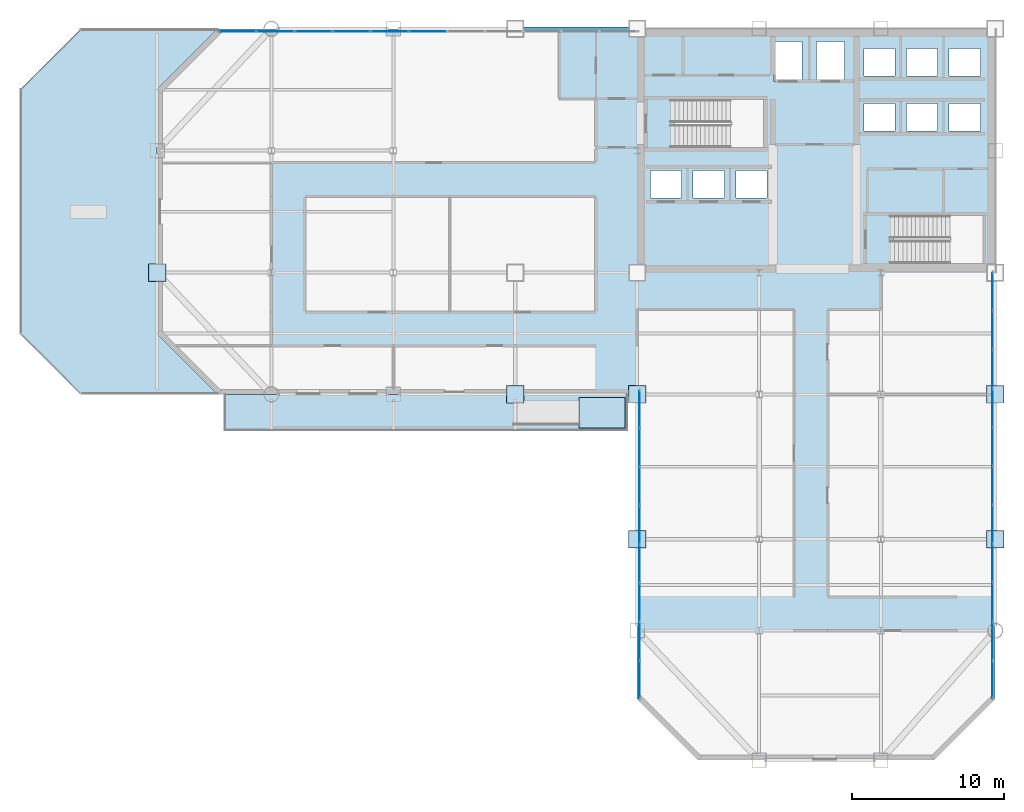
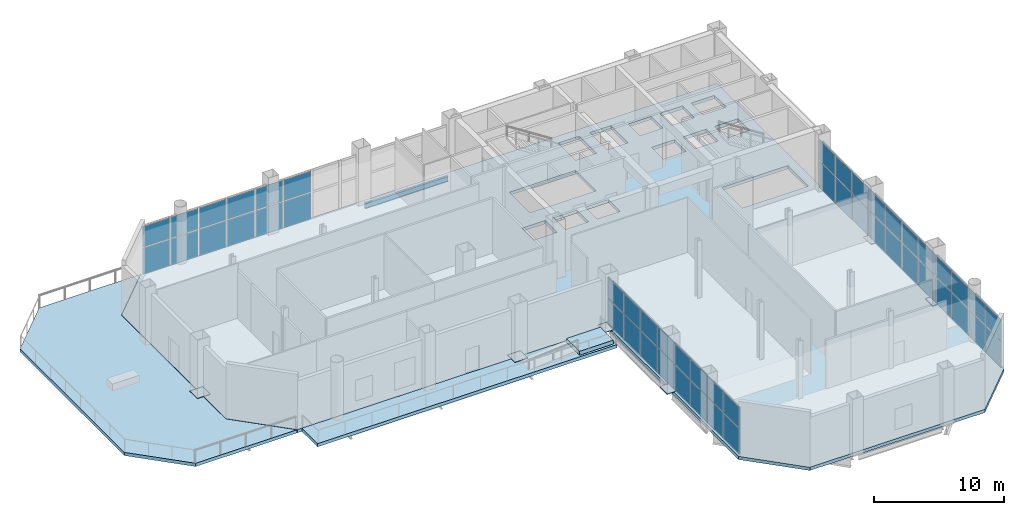
# One storey, part 17 of 22: 56 plates, 4 slabs, 1 beam, 4 elements without a shape of their own.
"""IFC4 building model written with IfcOpenShell, lengths in metres."""

from ifc_helpers import new_model, si_unit, direction, frame, origin, origin_2d, place, context, subcontext, project, spatial, polyline, rectangle, i_section, outline, extrude, material, layer, layer_set, material_profile, profile_set, type_object, element, aggregate, save


model = new_model("IFC4")

# Units and contexts
model_context = context("Model", 3, precision=1e-05, world=origin(), true_north=direction((0.0, 1.0)))
body_context = subcontext(model_context, "Body", "Model", "MODEL_VIEW")
ifc_project = project(units=[si_unit("LENGTHUNIT", "METRE"), si_unit("AREAUNIT", "SQUARE_METRE"), si_unit("VOLUMEUNIT", "CUBIC_METRE"), si_unit("PLANEANGLEUNIT", "RADIAN"), si_unit("MASSUNIT", "GRAM", prefix="KILO")], contexts=[model_context])

# Site, building, storey
site_placement = place(None, origin())
site = spatial("IfcSite", under=ifc_project, at=site_placement, CompositionType="ELEMENT")
building_placement = place(site_placement, origin())
building = spatial("IfcBuilding", under=site, at=building_placement, Name="Qianrong Seaharbour Tower", CompositionType="ELEMENT")
storey_placement = place(building_placement, frame((0.0, 0.0, 113.60009765625)))
storey = spatial("IfcBuildingStorey", under=building, at=storey_placement, Name="L27", CompositionType="ELEMENT", Elevation=113.60009765625)

# Beam
ifc_material_1 = material(Name="Structural steel SN490B", Category="steel")
ifc_material_profile = material_profile(ifc_material_1, i_section(OverallWidth=0.199951171875, OverallDepth=0.5, WebThickness=0.010009765625, FlangeThickness=0.01611328125, FilletRadius=0.02001953125, at=origin_2d()), Name="H500x200x10x16")
ifc_profile_set = profile_set([ifc_material_profile], Name="Structural steel SN490B")
beam_type = type_object("IfcBeamType", Name="BM-SP-500", PredefinedType="SPANDREL", material=ifc_profile_set)
beam_placement = place(storey_placement, frame((32.820068359375, 52.0, -0.550048828125), z_axis=(1.0, 0.0, 0.0), x_axis=(0.0, 1.0, 0.0)))
element("IfcBeam", 1, at=beam_placement, inside=storey, type_object=beam_type, Name="L27 Spandrel Girder GH G5-G6", PredefinedType="SPANDREL", context=body_context, shape_type="SweptSolid", body=[
    extrude(i_section(OverallWidth=0.199951171875, OverallDepth=0.5, WebThickness=0.010009765625, FlangeThickness=0.01611328125, FilletRadius=0.02001953125, at=origin_2d()), origin(), (0.0, 0.0, 1.0), 7.35986328125),
])

# Curtain wall, plates
ifc_material_2 = material(Name="Anodised aluminium 6063-T6 and laminated low-e glass", Category="aluminium")
ifc_layer_1 = layer(ifc_material_2, 0.2099609375)
ifc_layer_set_1 = layer_set([ifc_layer_1], Name="Anodised aluminium 6063-T6 and laminated low-e glass")
curtain_wall_type = type_object("IfcCurtainWallType", Name="CW-SYS-2", PredefinedType="NOTDEFINED", material=ifc_layer_set_1)
curtain_wall_1_placement = place(storey_placement, origin())
curtain_wall_1 = element("IfcCurtainWall", 2, at=curtain_wall_1_placement, inside=storey, type_object=curtain_wall_type, Name="L27 Sky-Lobby Feature Curtain Wall REENTRANT_WEST", PredefinedType="NOTDEFINED")
ifc_material_3 = material(Name="Laminated solar-control low-e glass", Category="glass")
ifc_layer_2 = layer(ifc_material_3, 0.031982421875)
ifc_layer_set_2 = layer_set([ifc_layer_2], Name="Laminated solar-control low-e glass")
plate_type_1 = type_object("IfcPlateType", Name="CW-PAN-VISION-32", PredefinedType="CURTAIN_PANEL", material=ifc_layer_set_2)
plate_1_placement = place(storey_placement, frame((40.669921875, 9.291259765625, 0.06982421875), z_axis=(0.0, 0.0, 1.0), x_axis=(0.0, 1.0, 0.0)))
plate_1 = element("IfcPlate", 3, at=plate_1_placement, type_object=plate_type_1, Name="CW-2 panel 1.1", PredefinedType="CURTAIN_PANEL", context=body_context, shape_type="SweptSolid", body=[
    extrude(rectangle(XDim=2.422607421875, YDim=0.031982421875, at=origin_2d()), origin(), (0.0, 0.0, 1.0), 2.3837890625),
])
plate_2_placement = place(storey_placement, frame((40.669921875, 9.291259765625, 2.523681640625), z_axis=(0.0, 0.0, 1.0), x_axis=(0.0, 1.0, 0.0)))
plate_2 = element("IfcPlate", 4, at=plate_2_placement, type_object=plate_type_1, Name="CW-2 panel 1.2", PredefinedType="CURTAIN_PANEL", context=body_context, shape_type="SweptSolid", body=[
    extrude(rectangle(XDim=2.422607421875, YDim=0.031982421875, at=origin_2d()), origin(), (0.0, 0.0, 1.0), 1.93115234375),
])
plate_3_placement = place(storey_placement, frame((40.669921875, 11.813720703125, 0.06982421875), z_axis=(0.0, 0.0, 1.0), x_axis=(0.0, 1.0, 0.0)))
plate_3 = element("IfcPlate", 5, at=plate_3_placement, type_object=plate_type_1, Name="CW-2 panel 2.1", PredefinedType="CURTAIN_PANEL", context=body_context, shape_type="SweptSolid", body=[
    extrude(rectangle(XDim=2.46240234375, YDim=0.031982421875, at=origin_2d()), origin(), (0.0, 0.0, 1.0), 2.3837890625),
])
plate_4_placement = place(storey_placement, frame((40.669921875, 11.813720703125, 2.523681640625), z_axis=(0.0, 0.0, 1.0), x_axis=(0.0, 1.0, 0.0)))
plate_4 = element("IfcPlate", 6, at=plate_4_placement, type_object=plate_type_1, Name="CW-2 panel 2.2", PredefinedType="CURTAIN_PANEL", context=body_context, shape_type="SweptSolid", body=[
    extrude(rectangle(XDim=2.46240234375, YDim=0.031982421875, at=origin_2d()), origin(), (0.0, 0.0, 1.0), 1.93115234375),
])
plate_5_placement = place(storey_placement, frame((40.669921875, 14.356201171875, 0.06982421875), z_axis=(0.0, 0.0, 1.0), x_axis=(0.0, 1.0, 0.0)))
plate_5 = element("IfcPlate", 7, at=plate_5_placement, type_object=plate_type_1, Name="CW-2 panel 3.1", PredefinedType="CURTAIN_PANEL", context=body_context, shape_type="SweptSolid", body=[
    extrude(rectangle(XDim=2.46240234375, YDim=0.031982421875, at=origin_2d()), origin(), (0.0, 0.0, 1.0), 2.3837890625),
])
plate_6_placement = place(storey_placement, frame((40.669921875, 14.356201171875, 2.523681640625), z_axis=(0.0, 0.0, 1.0), x_axis=(0.0, 1.0, 0.0)))
plate_6 = element("IfcPlate", 8, at=plate_6_placement, type_object=plate_type_1, Name="CW-2 panel 3.2", PredefinedType="CURTAIN_PANEL", context=body_context, shape_type="SweptSolid", body=[
    extrude(rectangle(XDim=2.46240234375, YDim=0.031982421875, at=origin_2d()), origin(), (0.0, 0.0, 1.0), 1.93115234375),
])
plate_7_placement = place(storey_placement, frame((40.669921875, 16.898681640625, 0.06982421875), z_axis=(0.0, 0.0, 1.0), x_axis=(0.0, 1.0, 0.0)))
plate_7 = element("IfcPlate", 9, at=plate_7_placement, type_object=plate_type_1, Name="CW-2 panel 4.1", PredefinedType="CURTAIN_PANEL", context=body_context, shape_type="SweptSolid", body=[
    extrude(rectangle(XDim=2.46240234375, YDim=0.031982421875, at=origin_2d()), origin(), (0.0, 0.0, 1.0), 2.3837890625),
])
plate_8_placement = place(storey_placement, frame((40.669921875, 16.898681640625, 2.523681640625), z_axis=(0.0, 0.0, 1.0), x_axis=(0.0, 1.0, 0.0)))
plate_8 = element("IfcPlate", 10, at=plate_8_placement, type_object=plate_type_1, Name="CW-2 panel 4.2", PredefinedType="CURTAIN_PANEL", context=body_context, shape_type="SweptSolid", body=[
    extrude(rectangle(XDim=2.46240234375, YDim=0.031982421875, at=origin_2d()), origin(), (0.0, 0.0, 1.0), 1.93115234375),
])
plate_9_placement = place(storey_placement, frame((40.669921875, 19.441162109375, 0.06982421875), z_axis=(0.0, 0.0, 1.0), x_axis=(0.0, 1.0, 0.0)))
plate_9 = element("IfcPlate", 11, at=plate_9_placement, type_object=plate_type_1, Name="CW-2 panel 5.1", PredefinedType="CURTAIN_PANEL", context=body_context, shape_type="SweptSolid", body=[
    extrude(rectangle(XDim=2.46240234375, YDim=0.031982421875, at=origin_2d()), origin(), (0.0, 0.0, 1.0), 2.3837890625),
])
plate_10_placement = place(storey_placement, frame((40.669921875, 19.441162109375, 2.523681640625), z_axis=(0.0, 0.0, 1.0), x_axis=(0.0, 1.0, 0.0)))
plate_10 = element("IfcPlate", 12, at=plate_10_placement, type_object=plate_type_1, Name="CW-2 panel 5.2", PredefinedType="CURTAIN_PANEL", context=body_context, shape_type="SweptSolid", body=[
    extrude(rectangle(XDim=2.46240234375, YDim=0.031982421875, at=origin_2d()), origin(), (0.0, 0.0, 1.0), 1.93115234375),
])
plate_11_placement = place(storey_placement, frame((40.669921875, 21.983642578125, 0.06982421875), z_axis=(0.0, 0.0, 1.0), x_axis=(0.0, 1.0, 0.0)))
plate_11 = element("IfcPlate", 13, at=plate_11_placement, type_object=plate_type_1, Name="CW-2 panel 6.1", PredefinedType="CURTAIN_PANEL", context=body_context, shape_type="SweptSolid", body=[
    extrude(rectangle(XDim=2.46240234375, YDim=0.031982421875, at=origin_2d()), origin(), (0.0, 0.0, 1.0), 2.3837890625),
])
plate_12_placement = place(storey_placement, frame((40.669921875, 21.983642578125, 2.523681640625), z_axis=(0.0, 0.0, 1.0), x_axis=(0.0, 1.0, 0.0)))
plate_12 = element("IfcPlate", 14, at=plate_12_placement, type_object=plate_type_1, Name="CW-2 panel 6.2", PredefinedType="CURTAIN_PANEL", context=body_context, shape_type="SweptSolid", body=[
    extrude(rectangle(XDim=2.46240234375, YDim=0.031982421875, at=origin_2d()), origin(), (0.0, 0.0, 1.0), 1.93115234375),
])
plate_13_placement = place(storey_placement, frame((40.669921875, 24.5263671875, 0.06982421875), z_axis=(0.0, 0.0, 1.0), x_axis=(0.0, 1.0, 0.0)))
plate_13 = element("IfcPlate", 15, at=plate_13_placement, type_object=plate_type_1, Name="CW-2 panel 7.1", PredefinedType="CURTAIN_PANEL", context=body_context, shape_type="SweptSolid", body=[
    extrude(rectangle(XDim=2.46240234375, YDim=0.031982421875, at=origin_2d()), origin(), (0.0, 0.0, 1.0), 2.3837890625),
])
plate_14_placement = place(storey_placement, frame((40.669921875, 24.5263671875, 2.523681640625), z_axis=(0.0, 0.0, 1.0), x_axis=(0.0, 1.0, 0.0)))
plate_14 = element("IfcPlate", 16, at=plate_14_placement, type_object=plate_type_1, Name="CW-2 panel 7.2", PredefinedType="CURTAIN_PANEL", context=body_context, shape_type="SweptSolid", body=[
    extrude(rectangle(XDim=2.46240234375, YDim=0.031982421875, at=origin_2d()), origin(), (0.0, 0.0, 1.0), 1.93115234375),
])
plate_15_placement = place(storey_placement, frame((40.669921875, 27.048828125, 0.06982421875), z_axis=(0.0, 0.0, 1.0), x_axis=(0.0, 1.0, 0.0)))
plate_15 = element("IfcPlate", 17, at=plate_15_placement, type_object=plate_type_1, Name="CW-2 panel 8.1", PredefinedType="CURTAIN_PANEL", context=body_context, shape_type="SweptSolid", body=[
    extrude(rectangle(XDim=2.422607421875, YDim=0.031982421875, at=origin_2d()), origin(), (0.0, 0.0, 1.0), 2.3837890625),
])
plate_16_placement = place(storey_placement, frame((40.669921875, 27.048828125, 2.523681640625), z_axis=(0.0, 0.0, 1.0), x_axis=(0.0, 1.0, 0.0)))
plate_16 = element("IfcPlate", 18, at=plate_16_placement, type_object=plate_type_1, Name="CW-2 panel 8.2", PredefinedType="CURTAIN_PANEL", context=body_context, shape_type="SweptSolid", body=[
    extrude(rectangle(XDim=2.422607421875, YDim=0.031982421875, at=origin_2d()), origin(), (0.0, 0.0, 1.0), 1.93115234375),
])
aggregate(curtain_wall_1, [plate_1, plate_2, plate_3, plate_4, plate_5, plate_6, plate_7, plate_8, plate_9, plate_10, plate_11, plate_12, plate_13, plate_14, plate_15, plate_16])

curtain_wall_2_placement = place(storey_placement, origin())
curtain_wall_2 = element("IfcCurtainWall", 19, at=curtain_wall_2_placement, inside=storey, type_object=curtain_wall_type, Name="L27 Sky-Lobby Feature Curtain Wall NORTH_WING", PredefinedType="NOTDEFINED")
plate_17_placement = place(storey_placement, frame((14.27099609375, 51.830078125, 0.06982421875), z_axis=(0.0, 0.0, 1.0), x_axis=(1.0, 0.0, 0.0)))
plate_17 = element("IfcPlate", 20, at=plate_17_placement, type_object=plate_type_1, Name="CW-2 panel 1.1", PredefinedType="CURTAIN_PANEL", context=body_context, shape_type="SweptSolid", body=[
    extrude(rectangle(XDim=2.3818359375, YDim=0.031982421875, at=origin_2d()), origin(), (0.0, 0.0, 1.0), 2.438720703125),
])
plate_18_placement = place(storey_placement, frame((14.27099609375, 51.830078125, 2.57861328125), z_axis=(0.0, 0.0, 1.0), x_axis=(1.0, 0.0, 0.0)))
plate_18 = element("IfcPlate", 21, at=plate_18_placement, type_object=plate_type_1, Name="CW-2 panel 1.2", PredefinedType="CURTAIN_PANEL", context=body_context, shape_type="SweptSolid", body=[
    extrude(rectangle(XDim=2.3818359375, YDim=0.031982421875, at=origin_2d()), origin(), (0.0, 0.0, 1.0), 1.976318359375),
])
plate_19_placement = place(storey_placement, frame((16.752685546875, 51.830078125, 0.06982421875), z_axis=(0.0, 0.0, 1.0), x_axis=(1.0, 0.0, 0.0)))
plate_19 = element("IfcPlate", 22, at=plate_19_placement, type_object=plate_type_1, Name="CW-2 panel 2.1", PredefinedType="CURTAIN_PANEL", context=body_context, shape_type="SweptSolid", body=[
    extrude(rectangle(XDim=2.421875, YDim=0.031982421875, at=origin_2d()), origin(), (0.0, 0.0, 1.0), 2.438720703125),
])
plate_20_placement = place(storey_placement, frame((16.752685546875, 51.830078125, 2.57861328125), z_axis=(0.0, 0.0, 1.0), x_axis=(1.0, 0.0, 0.0)))
plate_20 = element("IfcPlate", 23, at=plate_20_placement, type_object=plate_type_1, Name="CW-2 panel 2.2", PredefinedType="CURTAIN_PANEL", context=body_context, shape_type="SweptSolid", body=[
    extrude(rectangle(XDim=2.421875, YDim=0.031982421875, at=origin_2d()), origin(), (0.0, 0.0, 1.0), 1.976318359375),
])
plate_21_placement = place(storey_placement, frame((19.254638671875, 51.830078125, 0.06982421875), z_axis=(0.0, 0.0, 1.0), x_axis=(1.0, 0.0, 0.0)))
plate_21 = element("IfcPlate", 24, at=plate_21_placement, type_object=plate_type_1, Name="CW-2 panel 3.1", PredefinedType="CURTAIN_PANEL", context=body_context, shape_type="SweptSolid", body=[
    extrude(rectangle(XDim=2.421875, YDim=0.031982421875, at=origin_2d()), origin(), (0.0, 0.0, 1.0), 2.438720703125),
])
plate_22_placement = place(storey_placement, frame((19.254638671875, 51.830078125, 2.57861328125), z_axis=(0.0, 0.0, 1.0), x_axis=(1.0, 0.0, 0.0)))
plate_22 = element("IfcPlate", 25, at=plate_22_placement, type_object=plate_type_1, Name="CW-2 panel 3.2", PredefinedType="CURTAIN_PANEL", context=body_context, shape_type="SweptSolid", body=[
    extrude(rectangle(XDim=2.421875, YDim=0.031982421875, at=origin_2d()), origin(), (0.0, 0.0, 1.0), 1.976318359375),
])
plate_23_placement = place(storey_placement, frame((21.75634765625, 51.830078125, 0.06982421875), z_axis=(0.0, 0.0, 1.0), x_axis=(1.0, 0.0, 0.0)))
plate_23 = element("IfcPlate", 26, at=plate_23_placement, type_object=plate_type_1, Name="CW-2 panel 4.1", PredefinedType="CURTAIN_PANEL", context=body_context, shape_type="SweptSolid", body=[
    extrude(rectangle(XDim=2.421875, YDim=0.031982421875, at=origin_2d()), origin(), (0.0, 0.0, 1.0), 2.438720703125),
])
plate_24_placement = place(storey_placement, frame((21.75634765625, 51.830078125, 2.57861328125), z_axis=(0.0, 0.0, 1.0), x_axis=(1.0, 0.0, 0.0)))
plate_24 = element("IfcPlate", 27, at=plate_24_placement, type_object=plate_type_1, Name="CW-2 panel 4.2", PredefinedType="CURTAIN_PANEL", context=body_context, shape_type="SweptSolid", body=[
    extrude(rectangle(XDim=2.421875, YDim=0.031982421875, at=origin_2d()), origin(), (0.0, 0.0, 1.0), 1.976318359375),
])
plate_25_placement = place(storey_placement, frame((24.25830078125, 51.830078125, 0.06982421875), z_axis=(0.0, 0.0, 1.0), x_axis=(1.0, 0.0, 0.0)))
plate_25 = element("IfcPlate", 28, at=plate_25_placement, type_object=plate_type_1, Name="CW-2 panel 5.1", PredefinedType="CURTAIN_PANEL", context=body_context, shape_type="SweptSolid", body=[
    extrude(rectangle(XDim=2.421875, YDim=0.031982421875, at=origin_2d()), origin(), (0.0, 0.0, 1.0), 2.438720703125),
])
plate_26_placement = place(storey_placement, frame((24.25830078125, 51.830078125, 2.57861328125), z_axis=(0.0, 0.0, 1.0), x_axis=(1.0, 0.0, 0.0)))
plate_26 = element("IfcPlate", 29, at=plate_26_placement, type_object=plate_type_1, Name="CW-2 panel 5.2", PredefinedType="CURTAIN_PANEL", context=body_context, shape_type="SweptSolid", body=[
    extrude(rectangle(XDim=2.421875, YDim=0.031982421875, at=origin_2d()), origin(), (0.0, 0.0, 1.0), 1.976318359375),
])
plate_27_placement = place(storey_placement, frame((26.760009765625, 51.830078125, 0.06982421875), z_axis=(0.0, 0.0, 1.0), x_axis=(1.0, 0.0, 0.0)))
plate_27 = element("IfcPlate", 30, at=plate_27_placement, type_object=plate_type_1, Name="CW-2 panel 6.1", PredefinedType="CURTAIN_PANEL", context=body_context, shape_type="SweptSolid", body=[
    extrude(rectangle(XDim=2.421875, YDim=0.031982421875, at=origin_2d()), origin(), (0.0, 0.0, 1.0), 2.438720703125),
])
plate_28_placement = place(storey_placement, frame((26.760009765625, 51.830078125, 2.57861328125), z_axis=(0.0, 0.0, 1.0), x_axis=(1.0, 0.0, 0.0)))
plate_28 = element("IfcPlate", 31, at=plate_28_placement, type_object=plate_type_1, Name="CW-2 panel 6.2", PredefinedType="CURTAIN_PANEL", context=body_context, shape_type="SweptSolid", body=[
    extrude(rectangle(XDim=2.421875, YDim=0.031982421875, at=origin_2d()), origin(), (0.0, 0.0, 1.0), 1.976318359375),
])
aggregate(curtain_wall_2, [plate_17, plate_18, plate_19, plate_20, plate_21, plate_22, plate_23, plate_24, plate_25, plate_26, plate_27, plate_28])

curtain_wall_3_placement = place(storey_placement, origin())
curtain_wall_3 = element("IfcCurtainWall", 32, at=curtain_wall_3_placement, inside=storey, type_object=curtain_wall_type, Name="L27 Sky-Lobby Feature Curtain Wall EAST_WING", PredefinedType="NOTDEFINED")
plate_29_placement = place(storey_placement, frame((63.830078125, 34.7548828125, 0.06982421875), z_axis=(0.0, 0.0, 1.0), x_axis=(0.0, -1.0, 0.0)))
plate_29 = element("IfcPlate", 33, at=plate_29_placement, type_object=plate_type_1, Name="CW-2 panel 1.1", PredefinedType="CURTAIN_PANEL", context=body_context, shape_type="SweptSolid", body=[
    extrude(rectangle(XDim=2.429931640625, YDim=0.031982421875, at=origin_2d()), origin(), (0.0, 0.0, 1.0), 2.438720703125),
])
plate_30_placement = place(storey_placement, frame((63.830078125, 34.7548828125, 2.57861328125), z_axis=(0.0, 0.0, 1.0), x_axis=(0.0, -1.0, 0.0)))
plate_30 = element("IfcPlate", 34, at=plate_30_placement, type_object=plate_type_1, Name="CW-2 panel 1.2", PredefinedType="CURTAIN_PANEL", context=body_context, shape_type="SweptSolid", body=[
    extrude(rectangle(XDim=2.429931640625, YDim=0.031982421875, at=origin_2d()), origin(), (0.0, 0.0, 1.0), 1.976318359375),
])
plate_31_placement = place(storey_placement, frame((63.830078125, 32.22509765625, 0.06982421875), z_axis=(0.0, 0.0, 1.0), x_axis=(0.0, -1.0, 0.0)))
plate_31 = element("IfcPlate", 35, at=plate_31_placement, type_object=plate_type_1, Name="CW-2 panel 2.1", PredefinedType="CURTAIN_PANEL", context=body_context, shape_type="SweptSolid", body=[
    extrude(rectangle(XDim=2.469970703125, YDim=0.031982421875, at=origin_2d()), origin(), (0.0, 0.0, 1.0), 2.438720703125),
])
plate_32_placement = place(storey_placement, frame((63.830078125, 32.22509765625, 2.57861328125), z_axis=(0.0, 0.0, 1.0), x_axis=(0.0, -1.0, 0.0)))
plate_32 = element("IfcPlate", 36, at=plate_32_placement, type_object=plate_type_1, Name="CW-2 panel 2.2", PredefinedType="CURTAIN_PANEL", context=body_context, shape_type="SweptSolid", body=[
    extrude(rectangle(XDim=2.469970703125, YDim=0.031982421875, at=origin_2d()), origin(), (0.0, 0.0, 1.0), 1.976318359375),
])
plate_33_placement = place(storey_placement, frame((63.830078125, 29.675048828125, 0.06982421875), z_axis=(0.0, 0.0, 1.0), x_axis=(0.0, -1.0, 0.0)))
plate_33 = element("IfcPlate", 37, at=plate_33_placement, type_object=plate_type_1, Name="CW-2 panel 3.1", PredefinedType="CURTAIN_PANEL", context=body_context, shape_type="SweptSolid", body=[
    extrude(rectangle(XDim=2.469970703125, YDim=0.031982421875, at=origin_2d()), origin(), (0.0, 0.0, 1.0), 2.438720703125),
])
plate_34_placement = place(storey_placement, frame((63.830078125, 29.675048828125, 2.57861328125), z_axis=(0.0, 0.0, 1.0), x_axis=(0.0, -1.0, 0.0)))
plate_34 = element("IfcPlate", 38, at=plate_34_placement, type_object=plate_type_1, Name="CW-2 panel 3.2", PredefinedType="CURTAIN_PANEL", context=body_context, shape_type="SweptSolid", body=[
    extrude(rectangle(XDim=2.469970703125, YDim=0.031982421875, at=origin_2d()), origin(), (0.0, 0.0, 1.0), 1.976318359375),
])
plate_35_placement = place(storey_placement, frame((63.830078125, 27.125, 0.06982421875), z_axis=(0.0, 0.0, 1.0), x_axis=(0.0, -1.0, 0.0)))
plate_35 = element("IfcPlate", 39, at=plate_35_placement, type_object=plate_type_1, Name="CW-2 panel 4.1", PredefinedType="CURTAIN_PANEL", context=body_context, shape_type="SweptSolid", body=[
    extrude(rectangle(XDim=2.469970703125, YDim=0.031982421875, at=origin_2d()), origin(), (0.0, 0.0, 1.0), 2.438720703125),
])
plate_36_placement = place(storey_placement, frame((63.830078125, 27.125, 2.57861328125), z_axis=(0.0, 0.0, 1.0), x_axis=(0.0, -1.0, 0.0)))
plate_36 = element("IfcPlate", 40, at=plate_36_placement, type_object=plate_type_1, Name="CW-2 panel 4.2", PredefinedType="CURTAIN_PANEL", context=body_context, shape_type="SweptSolid", body=[
    extrude(rectangle(XDim=2.469970703125, YDim=0.031982421875, at=origin_2d()), origin(), (0.0, 0.0, 1.0), 1.976318359375),
])
plate_37_placement = place(storey_placement, frame((63.830078125, 24.574951171875, 0.06982421875), z_axis=(0.0, 0.0, 1.0), x_axis=(0.0, -1.0, 0.0)))
plate_37 = element("IfcPlate", 41, at=plate_37_placement, type_object=plate_type_1, Name="CW-2 panel 5.1", PredefinedType="CURTAIN_PANEL", context=body_context, shape_type="SweptSolid", body=[
    extrude(rectangle(XDim=2.469970703125, YDim=0.031982421875, at=origin_2d()), origin(), (0.0, 0.0, 1.0), 2.438720703125),
])
plate_38_placement = place(storey_placement, frame((63.830078125, 24.574951171875, 2.57861328125), z_axis=(0.0, 0.0, 1.0), x_axis=(0.0, -1.0, 0.0)))
plate_38 = element("IfcPlate", 42, at=plate_38_placement, type_object=plate_type_1, Name="CW-2 panel 5.2", PredefinedType="CURTAIN_PANEL", context=body_context, shape_type="SweptSolid", body=[
    extrude(rectangle(XDim=2.469970703125, YDim=0.031982421875, at=origin_2d()), origin(), (0.0, 0.0, 1.0), 1.976318359375),
])
plate_39_placement = place(storey_placement, frame((63.830078125, 22.02490234375, 0.06982421875), z_axis=(0.0, 0.0, 1.0), x_axis=(0.0, -1.0, 0.0)))
plate_39 = element("IfcPlate", 43, at=plate_39_placement, type_object=plate_type_1, Name="CW-2 panel 6.1", PredefinedType="CURTAIN_PANEL", context=body_context, shape_type="SweptSolid", body=[
    extrude(rectangle(XDim=2.469970703125, YDim=0.031982421875, at=origin_2d()), origin(), (0.0, 0.0, 1.0), 2.438720703125),
])
plate_40_placement = place(storey_placement, frame((63.830078125, 22.02490234375, 2.57861328125), z_axis=(0.0, 0.0, 1.0), x_axis=(0.0, -1.0, 0.0)))
plate_40 = element("IfcPlate", 44, at=plate_40_placement, type_object=plate_type_1, Name="CW-2 panel 6.2", PredefinedType="CURTAIN_PANEL", context=body_context, shape_type="SweptSolid", body=[
    extrude(rectangle(XDim=2.469970703125, YDim=0.031982421875, at=origin_2d()), origin(), (0.0, 0.0, 1.0), 1.976318359375),
])
plate_41_placement = place(storey_placement, frame((63.830078125, 19.47509765625, 0.06982421875), z_axis=(0.0, 0.0, 1.0), x_axis=(0.0, -1.0, 0.0)))
plate_41 = element("IfcPlate", 45, at=plate_41_placement, type_object=plate_type_1, Name="CW-2 panel 7.1", PredefinedType="CURTAIN_PANEL", context=body_context, shape_type="SweptSolid", body=[
    extrude(rectangle(XDim=2.469970703125, YDim=0.031982421875, at=origin_2d()), origin(), (0.0, 0.0, 1.0), 2.438720703125),
])
plate_42_placement = place(storey_placement, frame((63.830078125, 19.47509765625, 2.57861328125), z_axis=(0.0, 0.0, 1.0), x_axis=(0.0, -1.0, 0.0)))
plate_42 = element("IfcPlate", 46, at=plate_42_placement, type_object=plate_type_1, Name="CW-2 panel 7.2", PredefinedType="CURTAIN_PANEL", context=body_context, shape_type="SweptSolid", body=[
    extrude(rectangle(XDim=2.469970703125, YDim=0.031982421875, at=origin_2d()), origin(), (0.0, 0.0, 1.0), 1.976318359375),
])
plate_43_placement = place(storey_placement, frame((63.830078125, 16.925048828125, 0.06982421875), z_axis=(0.0, 0.0, 1.0), x_axis=(0.0, -1.0, 0.0)))
plate_43 = element("IfcPlate", 47, at=plate_43_placement, type_object=plate_type_1, Name="CW-2 panel 8.1", PredefinedType="CURTAIN_PANEL", context=body_context, shape_type="SweptSolid", body=[
    extrude(rectangle(XDim=2.469970703125, YDim=0.031982421875, at=origin_2d()), origin(), (0.0, 0.0, 1.0), 2.438720703125),
])
plate_44_placement = place(storey_placement, frame((63.830078125, 16.925048828125, 2.57861328125), z_axis=(0.0, 0.0, 1.0), x_axis=(0.0, -1.0, 0.0)))
plate_44 = element("IfcPlate", 48, at=plate_44_placement, type_object=plate_type_1, Name="CW-2 panel 8.2", PredefinedType="CURTAIN_PANEL", context=body_context, shape_type="SweptSolid", body=[
    extrude(rectangle(XDim=2.469970703125, YDim=0.031982421875, at=origin_2d()), origin(), (0.0, 0.0, 1.0), 1.976318359375),
])
plate_45_placement = place(storey_placement, frame((63.830078125, 14.375, 0.06982421875), z_axis=(0.0, 0.0, 1.0), x_axis=(0.0, -1.0, 0.0)))
plate_45 = element("IfcPlate", 49, at=plate_45_placement, type_object=plate_type_1, Name="CW-2 panel 9.1", PredefinedType="CURTAIN_PANEL", context=body_context, shape_type="SweptSolid", body=[
    extrude(rectangle(XDim=2.469970703125, YDim=0.031982421875, at=origin_2d()), origin(), (0.0, 0.0, 1.0), 2.438720703125),
])
plate_46_placement = place(storey_placement, frame((63.830078125, 14.375, 2.57861328125), z_axis=(0.0, 0.0, 1.0), x_axis=(0.0, -1.0, 0.0)))
plate_46 = element("IfcPlate", 50, at=plate_46_placement, type_object=plate_type_1, Name="CW-2 panel 9.2", PredefinedType="CURTAIN_PANEL", context=body_context, shape_type="SweptSolid", body=[
    extrude(rectangle(XDim=2.469970703125, YDim=0.031982421875, at=origin_2d()), origin(), (0.0, 0.0, 1.0), 1.976318359375),
])
plate_47_placement = place(storey_placement, frame((63.830078125, 11.824951171875, 0.06982421875), z_axis=(0.0, 0.0, 1.0), x_axis=(0.0, -1.0, 0.0)))
plate_47 = element("IfcPlate", 51, at=plate_47_placement, type_object=plate_type_1, Name="CW-2 panel 10.1", PredefinedType="CURTAIN_PANEL", context=body_context, shape_type="SweptSolid", body=[
    extrude(rectangle(XDim=2.469970703125, YDim=0.031982421875, at=origin_2d()), origin(), (0.0, 0.0, 1.0), 2.438720703125),
])
plate_48_placement = place(storey_placement, frame((63.830078125, 11.824951171875, 2.57861328125), z_axis=(0.0, 0.0, 1.0), x_axis=(0.0, -1.0, 0.0)))
plate_48 = element("IfcPlate", 52, at=plate_48_placement, type_object=plate_type_1, Name="CW-2 panel 10.2", PredefinedType="CURTAIN_PANEL", context=body_context, shape_type="SweptSolid", body=[
    extrude(rectangle(XDim=2.469970703125, YDim=0.031982421875, at=origin_2d()), origin(), (0.0, 0.0, 1.0), 1.976318359375),
])
plate_49_placement = place(storey_placement, frame((63.830078125, 9.294921875, 0.06982421875), z_axis=(0.0, 0.0, 1.0), x_axis=(0.0, -1.0, 0.0)))
plate_49 = element("IfcPlate", 53, at=plate_49_placement, type_object=plate_type_1, Name="CW-2 panel 11.1", PredefinedType="CURTAIN_PANEL", context=body_context, shape_type="SweptSolid", body=[
    extrude(rectangle(XDim=2.429931640625, YDim=0.031982421875, at=origin_2d()), origin(), (0.0, 0.0, 1.0), 2.438720703125),
])
plate_50_placement = place(storey_placement, frame((63.830078125, 9.294921875, 2.57861328125), z_axis=(0.0, 0.0, 1.0), x_axis=(0.0, -1.0, 0.0)))
plate_50 = element("IfcPlate", 54, at=plate_50_placement, type_object=plate_type_1, Name="CW-2 panel 11.2", PredefinedType="CURTAIN_PANEL", context=body_context, shape_type="SweptSolid", body=[
    extrude(rectangle(XDim=2.429931640625, YDim=0.031982421875, at=origin_2d()), origin(), (0.0, 0.0, 1.0), 1.976318359375),
])
aggregate(curtain_wall_3, [plate_29, plate_30, plate_31, plate_32, plate_33, plate_34, plate_35, plate_36, plate_37, plate_38, plate_39, plate_40, plate_41, plate_42, plate_43, plate_44, plate_45, plate_46, plate_47, plate_48, plate_49, plate_50])

# Plates
ifc_layer_3 = layer(ifc_material_1, 0.044921875)
ifc_layer_set_3 = layer_set([ifc_layer_3], Name="Structural steel SN490B")
plate_type_2 = type_object("IfcPlateType", Name="PLT-COL-CAP-45", PredefinedType="SHEET", material=ifc_layer_set_3)
for number, where, z_axis, x_axis, name in (
    (55, (9.0, 36.0, -0.0224609375), (0.0, 0.0, 1.0), (1.0, 0.0, 0.0), "L27 Column Splice Cap Plate G2/GF"),
    (56, (32.5, 28.0, -0.0224609375), (0.0, 0.0, 1.0), (1.0, 0.0, 0.0), "L27 Column Splice Cap Plate G5/GE"),
    (57, (40.5, 18.5, -0.0224609375), (0.0, 0.0, 1.0), (1.0, 0.0, 0.0), "L27 Column Splice Cap Plate G6/GD"),
    (58, (40.5, 28.0, -0.0224609375), (0.0, 0.0, 1.0), (1.0, 0.0, 0.0), "L27 Column Splice Cap Plate G6/GE"),
    (59, (64.0, 18.5, -0.0224609375), (0.0, 0.0, 1.0), (1.0, 0.0, 0.0), "L27 Column Splice Cap Plate G9/GD"),
    (60, (64.0, 28.0, -0.0224609375), (0.0, 0.0, 1.0), (1.0, 0.0, 0.0), "L27 Column Splice Cap Plate G9/GE"),
):
    element("IfcPlate", number, at=place(storey_placement, frame(where, z_axis=z_axis, x_axis=x_axis)), inside=storey, type_object=plate_type_2, Name=name, PredefinedType="SHEET", context=body_context, shape_type="SweptSolid", body=[
        extrude(rectangle(XDim=1.14990234375, YDim=1.14990234375, at=origin_2d()), origin(), (0.0, 0.0, 1.0), 0.044921875),
    ])

# Ramp, slab
ifc_material_4 = material(Name="White architectural precast concrete C45/55", Category="concrete")
ramp_type = type_object("IfcRampType", Name="RAMP-RIBBON-GARDEN", PredefinedType="STRAIGHT_RUN_RAMP", material=ifc_material_4)
ramp_placement = place(storey_placement, origin())
ramp = element("IfcRamp", 61, at=ramp_placement, inside=storey, type_object=ramp_type, Name="L27 Harbourfront Garden Ribbon Ramp", PredefinedType="STRAIGHT_RUN_RAMP")
ifc_layer_4 = layer(ifc_material_4, 0.360107421875)
ifc_layer_set_4 = layer_set([ifc_layer_4], Name="White architectural precast concrete C45/55")
slab_type_1 = type_object("IfcSlabType", Name="SLAB-RAMP-LANDING-220", PredefinedType="LANDING", material=ifc_layer_set_4)
slab_1_placement = place(storey_placement, origin())
slab_1 = element("IfcSlab", 62, at=slab_1_placement, type_object=slab_type_1, Name="L27 Harbourfront Ribbon Raised Garden Landing", PredefinedType="LANDING", context=body_context, shape_type="SweptSolid", body=[
    extrude(outline(polyline([(36.699951171875, 25.800048828125), (39.699951171875, 25.800048828125), (39.699951171875, 27.800048828125), (36.699951171875, 27.800048828125), (36.699951171875, 25.800048828125)])), origin(), (0.0, 0.0, 1.0), 0.35986328125),
])
aggregate(ramp, [slab_1])

# Slabs
ifc_layer_5 = layer(ifc_material_4, 0.300048828125)
ifc_layer_set_5 = layer_set([ifc_layer_5], Name="White architectural precast concrete C45/55")
slab_type_2 = type_object("IfcSlabType", Name="SLAB-RIBBON-300", PredefinedType="FLOOR", material=ifc_layer_set_5)
slab_2_placement = place(storey_placement, frame((0.0, 0.0, -0.300048828125)))
element("IfcSlab", 63, at=slab_2_placement, inside=storey, type_object=slab_type_2, Name="L27 Harbourfront White Precast Ribbon Gallery Slab", PredefinedType="FLOOR", context=body_context, shape_type="SweptSolid", body=[
    extrude(outline(polyline([(13.39990234375, 25.60009765625), (39.89990234375, 25.60009765625), (39.89990234375, 28.0), (13.39990234375, 28.0), (13.39990234375, 25.60009765625)])), origin(), (0.0, 0.0, 1.0), 0.300048828125),
])
ifc_material_5 = material(Name="Concrete C60/75", Category="concrete")
ifc_layer_6 = layer(ifc_material_5, 0.300048828125)
ifc_layer_set_6 = layer_set([ifc_layer_6], Name="Concrete C60/75")
slab_type_3 = type_object("IfcSlabType", Name="SLAB-SKY-300", PredefinedType="FLOOR", material=ifc_layer_set_6)
slab_3_placement = place(storey_placement, frame((0.0, 0.0, -0.300048828125)))
element("IfcSlab", 64, at=slab_3_placement, inside=storey, type_object=slab_type_3, Name="L27 Structural Floor Slab", PredefinedType="FLOOR", context=body_context, shape_type="SweptSolid", body=[
    extrude(outline(polyline([(44.5, 4.0), (60.0, 4.0), (64.0, 8.0), (64.0, 52.0), (13.0, 52.0), (9.0, 48.0), (9.0, 32.0), (13.0, 28.0), (40.5, 28.0), (40.5, 8.0), (44.5, 4.0)]), holes=[polyline([(42.93994140625, 44.199951171875), (42.93994140625, 47.35009765625), (48.800048828125, 47.35009765625), (48.800048828125, 44.199951171875), (42.93994140625, 44.199951171875)]), polyline([(57.340087890625, 36.60009765625), (57.340087890625, 39.75), (63.199951171875, 39.75), (63.199951171875, 36.60009765625), (57.340087890625, 36.60009765625)]), polyline([(49.47998046875, 48.530029296875), (49.47998046875, 51.169921875), (51.320068359375, 51.169921875), (51.320068359375, 48.530029296875), (49.47998046875, 48.530029296875)]), polyline([(52.280029296875, 48.530029296875), (52.280029296875, 51.169921875), (54.1201171875, 51.169921875), (54.1201171875, 48.530029296875), (52.280029296875, 48.530029296875)]), polyline([(41.3798828125, 40.89990234375), (41.3798828125, 42.699951171875), (43.419921875, 42.699951171875), (43.419921875, 40.89990234375), (41.3798828125, 40.89990234375)]), polyline([(44.179931640625, 40.89990234375), (44.179931640625, 42.699951171875), (46.219970703125, 42.699951171875), (46.219970703125, 40.89990234375), (44.179931640625, 40.89990234375)]), polyline([(46.97998046875, 40.89990234375), (46.97998046875, 42.699951171875), (49.02001953125, 42.699951171875), (49.02001953125, 40.89990234375), (46.97998046875, 40.89990234375)]), polyline([(55.3798828125, 45.300048828125), (55.3798828125, 47.10009765625), (57.419921875, 47.10009765625), (57.419921875, 45.300048828125), (55.3798828125, 45.300048828125)]), polyline([(58.179931640625, 45.300048828125), (58.179931640625, 47.10009765625), (60.219970703125, 47.10009765625), (60.219970703125, 45.300048828125), (58.179931640625, 45.300048828125)]), polyline([(60.97998046875, 45.300048828125), (60.97998046875, 47.10009765625), (63.02001953125, 47.10009765625), (63.02001953125, 45.300048828125), (60.97998046875, 45.300048828125)]), polyline([(55.3798828125, 48.89990234375), (55.3798828125, 50.699951171875), (57.419921875, 50.699951171875), (57.419921875, 48.89990234375), (55.3798828125, 48.89990234375)]), polyline([(58.179931640625, 48.89990234375), (58.179931640625, 50.699951171875), (60.219970703125, 50.699951171875), (60.219970703125, 48.89990234375), (58.179931640625, 48.89990234375)]), polyline([(60.97998046875, 48.89990234375), (60.97998046875, 50.699951171875), (63.02001953125, 50.699951171875), (63.02001953125, 48.89990234375), (60.97998046875, 48.89990234375)])]), origin(), (0.0, 0.0, 1.0), 0.300048828125),
])
ifc_material_6 = material(Name="Concrete C50/60", Category="concrete")
ifc_layer_7 = layer(ifc_material_6, 0.300048828125)
ifc_layer_set_7 = layer_set([ifc_layer_7], Name="Concrete C50/60")
slab_type_4 = type_object("IfcSlabType", Name="SLAB-TERRACE-ROOF-300", PredefinedType="ROOF", material=ifc_layer_set_7)
slab_4_placement = place(storey_placement, frame((0.0, 0.0, -0.300048828125)))
element("IfcSlab", 65, at=slab_4_placement, inside=storey, type_object=slab_type_4, Name="L27 Stepped Sky Garden Terrace Roof Slab 1", PredefinedType="ROOF", context=body_context, shape_type="SweptSolid", body=[
    extrude(outline(polyline([(0.0, 32.0), (0.0, 48.0), (4.0, 52.0), (12.9716796875, 52.0), (8.98583984375, 48.01416015625), (8.984619140625, 48.0126953125), (8.9833984375, 48.010986328125), (8.982421875, 48.009521484375), (8.9814453125, 48.0078125), (8.98095703125, 48.005859375), (8.98046875, 48.00390625), (8.97998046875, 48.001953125), (8.97998046875, 48.0), (8.97998046875, 32.0), (8.97998046875, 31.998046875), (8.98046875, 31.99609375), (8.98095703125, 31.994140625), (8.9814453125, 31.9921875), (8.982421875, 31.990478515625), (8.9833984375, 31.989013671875), (8.984619140625, 31.9873046875), (8.98583984375, 31.98583984375), (12.9716796875, 28.0), (4.0, 28.0), (0.0, 32.0)])), origin(), (0.0, 0.0, 1.0), 0.300048828125),
])

save(model, "model.ifc")
